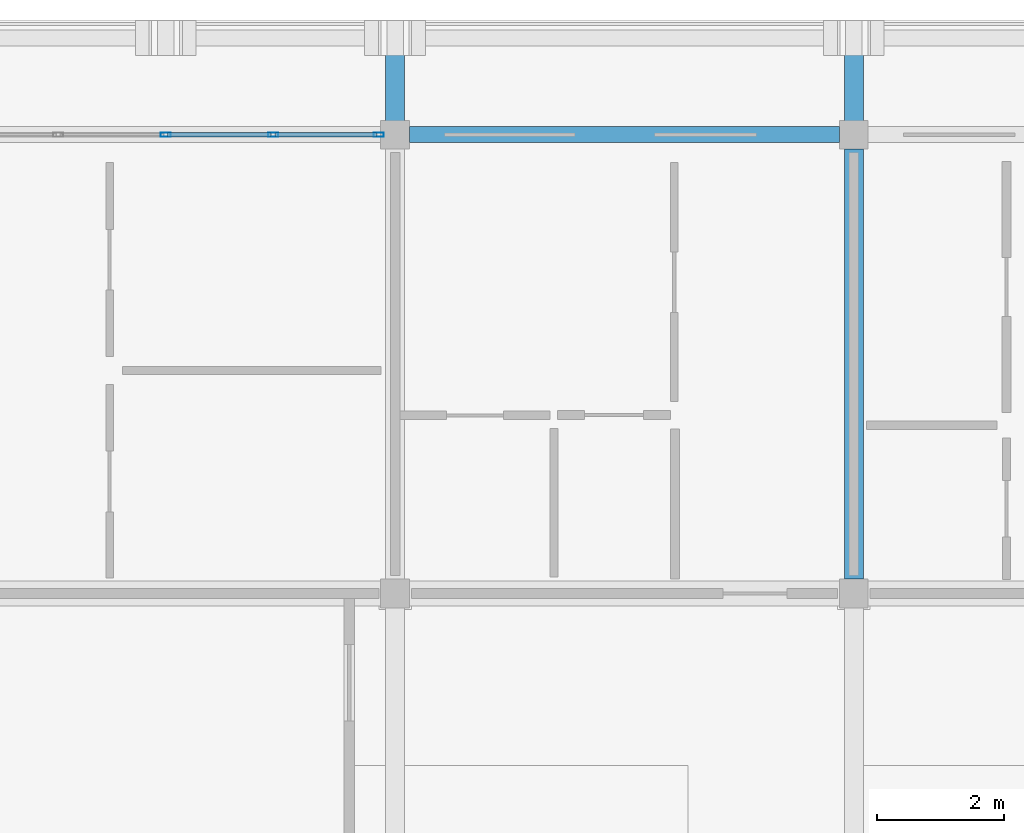
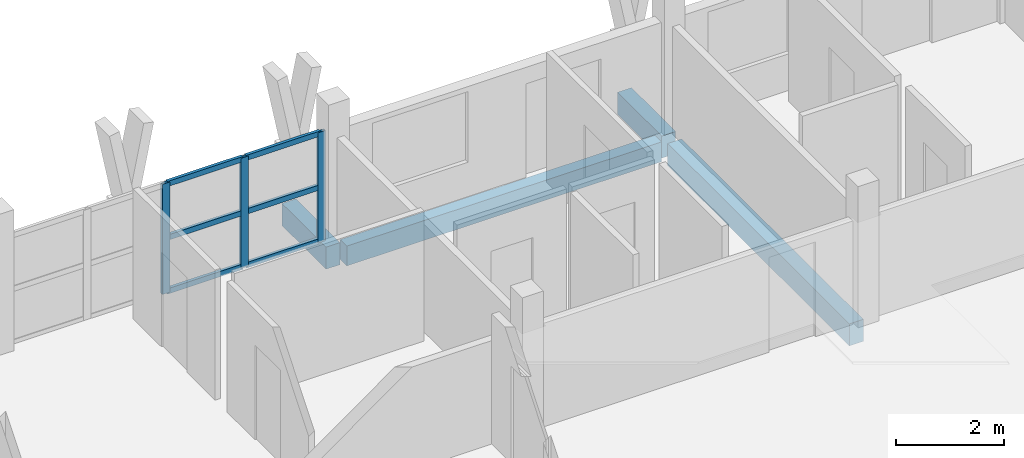
# One storey, part 13 of 32: 9 members, 4 beams, 1 element without a shape of its own.
"""IFC4 building model written with IfcOpenShell, lengths in metres."""

from ifc_helpers import new_model, si_unit, direction, frame, origin, origin_2d, place, context, subcontext, project, spatial, rectangle, hollow_rectangle, extrude, material, material_profile, profile_set, type_object, element, aggregate, save


model = new_model("IFC4")

# Units and contexts
model_context = context("Model", 3, precision=1e-05, world=origin(), true_north=direction((0.0, 1.0)))
body_context = subcontext(model_context, "Body", "Model", "MODEL_VIEW")
ifc_project = project(units=[si_unit("LENGTHUNIT", "METRE"), si_unit("AREAUNIT", "SQUARE_METRE"), si_unit("VOLUMEUNIT", "CUBIC_METRE"), si_unit("PLANEANGLEUNIT", "RADIAN"), si_unit("MASSUNIT", "GRAM", prefix="KILO")], contexts=[model_context])

# Site, building, storey
site_placement = place(None, origin())
site = spatial("IfcSite", under=ifc_project, at=site_placement, CompositionType="ELEMENT")
building_placement = place(site_placement, origin())
building = spatial("IfcBuilding", under=site, at=building_placement, Name="Suanplinth Sawtooth Commons", CompositionType="ELEMENT")
storey_placement = place(building_placement, frame((0.0, 0.0, 41.199951171875)))
storey = spatial("IfcBuildingStorey", under=building, at=storey_placement, Name="L12", CompositionType="ELEMENT", Elevation=41.199951171875)

# Beams
ifc_material_1 = material(Name="Precast concrete C40/50", Category="concrete")
ifc_material_profile_1 = material_profile(ifc_material_1, rectangle(XDim=0.300048828125, YDim=0.5, at=origin_2d()), Name="PC-BM 300x500")
ifc_profile_set_1 = profile_set([ifc_material_profile_1], Name="Precast concrete C40/50")
beam_type_1 = type_object("IfcBeamType", Name="B-07", PredefinedType="BEAM", material=ifc_profile_set_1)
beam_1_placement = place(storey_placement, frame((180.0, 115.425048828125, -0.4599609375), z_axis=(0.0, 1.0, 0.0), x_axis=(-1.0, 0.0, 0.0)))
element("IfcBeam", 1, at=beam_1_placement, inside=storey, type_object=beam_type_1, Name="BMY-L12-B-25-16", PredefinedType="BEAM", context=body_context, shape_type="SweptSolid", body=[
    extrude(rectangle(XDim=0.300048828125, YDim=0.5, at=origin_2d()), origin(), (0.0, 0.0, 1.0), 6.75),
])
for number, where, z_axis, x_axis, name in (
    (2, (172.800048828125, 122.39990234375, -0.429931640625), (0.0, 1.0, 0.0), (-1.0, 0.0, 0.0), "Balcony Outrigger L12-B-N-24"),
    (3, (180.0, 122.39990234375, -0.429931640625), (0.0, 1.0, 0.0), (-1.0, 0.0, 0.0), "Balcony Outrigger L12-B-N-25"),
):
    element("IfcBeam", number, at=place(storey_placement, frame(where, z_axis=z_axis, x_axis=x_axis)), inside=storey, type_object=beam_type_1, Name=name, PredefinedType="BEAM", context=body_context, shape_type="SweptSolid", body=[
        extrude(rectangle(XDim=0.300048828125, YDim=0.5, at=origin_2d()), origin(), (0.0, 0.0, 1.0), 1.64013671875),
    ])
ifc_material_profile_2 = material_profile(ifc_material_1, rectangle(XDim=0.25, YDim=0.449951171875, at=origin_2d()), Name="PC-SP 250x450")
ifc_profile_set_2 = profile_set([ifc_material_profile_2], Name="Precast concrete C40/50")
beam_type_2 = type_object("IfcBeamType", Name="B-09", PredefinedType="SPANDREL", material=ifc_profile_set_2)
beam_2_placement = place(storey_placement, frame((173.02490234375, 122.39990234375, -0.43505859375), z_axis=(1.0, 0.0, 0.0), x_axis=(0.0, 1.0, 0.0)))
element("IfcBeam", 4, at=beam_2_placement, inside=storey, type_object=beam_type_2, Name="BMX-L12-B-24-17", PredefinedType="SPANDREL", context=body_context, shape_type="SweptSolid", body=[
    extrude(rectangle(XDim=0.25, YDim=0.449951171875, at=origin_2d()), origin(), (0.0, 0.0, 1.0), 6.75),
])

# Curtain wall, members
ifc_material_2 = material(Name="Anodized aluminium and low-E glazing", Category="aluminium")
curtain_wall_type = type_object("IfcCurtainWallType", Name="CW-06", PredefinedType="USERDEFINED", material=ifc_material_2)
curtain_wall_placement = place(storey_placement, origin())
curtain_wall = element("IfcCurtainWall", 5, at=curtain_wall_placement, inside=storey, type_object=curtain_wall_type, Name="Curtain Wall CW-L12-B-LOUNGE-23", ObjectType="CURTAIN WALL", PredefinedType="USERDEFINED")
ifc_material_3 = material(Name="Anodized aluminium 6063-T6", Category="aluminium")
ifc_material_profile_3 = material_profile(ifc_material_3, hollow_rectangle(XDim=0.06494140625, YDim=0.159912109375, WallThickness=0.00390625, at=origin_2d()), Name="ALU-MUL 65x160")
ifc_profile_set_3 = profile_set([ifc_material_profile_3], Name="Anodized aluminium 6063-T6")
member_type_1 = type_object("IfcMemberType", Name="M-13", PredefinedType="MULLION", material=ifc_profile_set_3)
member_1_placement = place(storey_placement, frame((169.199951171875, 122.39990234375, 0.0), z_axis=(0.0, 0.0, 1.0), x_axis=(0.0, 1.0, 0.0)))
member_1 = element("IfcMember", 6, at=member_1_placement, type_object=member_type_1, Name="CW-06 mullion 3", PredefinedType="MULLION", context=body_context, shape_type="SweptSolid", body=[
    extrude(hollow_rectangle(XDim=0.06494140625, YDim=0.159912109375, WallThickness=0.00390625, at=origin_2d()), origin(), (0.0, 0.0, 1.0), 2.5),
])
member_2_placement = place(storey_placement, frame((170.887451171875, 122.39990234375, 0.0), z_axis=(0.0, 0.0, 1.0), x_axis=(0.0, 1.0, 0.0)))
member_2 = element("IfcMember", 7, at=member_2_placement, type_object=member_type_1, Name="CW-06 mullion 4", PredefinedType="MULLION", context=body_context, shape_type="SweptSolid", body=[
    extrude(hollow_rectangle(XDim=0.06494140625, YDim=0.159912109375, WallThickness=0.00390625, at=origin_2d()), origin(), (0.0, 0.0, 1.0), 2.5),
])
member_3_placement = place(storey_placement, frame((172.54248046875, 122.39990234375, 0.0), z_axis=(0.0, 0.0, 1.0), x_axis=(0.0, 1.0, 0.0)))
member_3 = element("IfcMember", 8, at=member_3_placement, type_object=member_type_1, Name="CW-06 mullion 5", PredefinedType="MULLION", context=body_context, shape_type="SweptSolid", body=[
    extrude(hollow_rectangle(XDim=0.06494140625, YDim=0.159912109375, WallThickness=0.00390625, at=origin_2d()), origin(), (0.0, 0.0, 1.0), 2.5),
])
ifc_material_profile_4 = material_profile(ifc_material_3, hollow_rectangle(XDim=0.06494140625, YDim=0.1201171875, WallThickness=0.00390625, at=origin_2d()), Name="ALU-TRN 65x120")
ifc_profile_set_4 = profile_set([ifc_material_profile_4], Name="Anodized aluminium 6063-T6")
member_type_2 = type_object("IfcMemberType", Name="M-15", PredefinedType="USERDEFINED", material=ifc_profile_set_4)
member_4_placement = place(storey_placement, frame((169.232421875, 122.39990234375, 0.032470703125), z_axis=(1.0, 0.0, 0.0), x_axis=(0.0, 1.0, 0.0)))
member_4 = element("IfcMember", 9, at=member_4_placement, type_object=member_type_2, Name="CW-06 transom 3.1", ObjectType="TRANSOM", PredefinedType="USERDEFINED", context=body_context, shape_type="SweptSolid", body=[
    extrude(hollow_rectangle(XDim=0.06494140625, YDim=0.1201171875, WallThickness=0.00390625, at=origin_2d()), origin(), (0.0, 0.0, 1.0), 1.62255859375),
])
member_5_placement = place(storey_placement, frame((169.232421875, 122.39990234375, 1.25), z_axis=(1.0, 0.0, 0.0), x_axis=(0.0, 1.0, 0.0)))
member_5 = element("IfcMember", 10, at=member_5_placement, type_object=member_type_2, Name="CW-06 transom 3.2", ObjectType="TRANSOM", PredefinedType="USERDEFINED", context=body_context, shape_type="SweptSolid", body=[
    extrude(hollow_rectangle(XDim=0.06494140625, YDim=0.1201171875, WallThickness=0.00390625, at=origin_2d()), origin(), (0.0, 0.0, 1.0), 1.62255859375),
])
member_6_placement = place(storey_placement, frame((169.232421875, 122.39990234375, 2.467529296875), z_axis=(1.0, 0.0, 0.0), x_axis=(0.0, 1.0, 0.0)))
member_6 = element("IfcMember", 11, at=member_6_placement, type_object=member_type_2, Name="CW-06 transom 3.3", ObjectType="TRANSOM", PredefinedType="USERDEFINED", context=body_context, shape_type="SweptSolid", body=[
    extrude(hollow_rectangle(XDim=0.06494140625, YDim=0.1201171875, WallThickness=0.00390625, at=origin_2d()), origin(), (0.0, 0.0, 1.0), 1.62255859375),
])
member_7_placement = place(storey_placement, frame((170.919921875, 122.39990234375, 0.032470703125), z_axis=(1.0, 0.0, 0.0), x_axis=(0.0, 1.0, 0.0)))
member_7 = element("IfcMember", 12, at=member_7_placement, type_object=member_type_2, Name="CW-06 transom 4.1", ObjectType="TRANSOM", PredefinedType="USERDEFINED", context=body_context, shape_type="SweptSolid", body=[
    extrude(hollow_rectangle(XDim=0.06494140625, YDim=0.1201171875, WallThickness=0.00390625, at=origin_2d()), origin(), (0.0, 0.0, 1.0), 1.590087890625),
])
member_8_placement = place(storey_placement, frame((170.919921875, 122.39990234375, 1.25), z_axis=(1.0, 0.0, 0.0), x_axis=(0.0, 1.0, 0.0)))
member_8 = element("IfcMember", 13, at=member_8_placement, type_object=member_type_2, Name="CW-06 transom 4.2", ObjectType="TRANSOM", PredefinedType="USERDEFINED", context=body_context, shape_type="SweptSolid", body=[
    extrude(hollow_rectangle(XDim=0.06494140625, YDim=0.1201171875, WallThickness=0.00390625, at=origin_2d()), origin(), (0.0, 0.0, 1.0), 1.590087890625),
])
member_9_placement = place(storey_placement, frame((170.919921875, 122.39990234375, 2.467529296875), z_axis=(1.0, 0.0, 0.0), x_axis=(0.0, 1.0, 0.0)))
member_9 = element("IfcMember", 14, at=member_9_placement, type_object=member_type_2, Name="CW-06 transom 4.3", ObjectType="TRANSOM", PredefinedType="USERDEFINED", context=body_context, shape_type="SweptSolid", body=[
    extrude(hollow_rectangle(XDim=0.06494140625, YDim=0.1201171875, WallThickness=0.00390625, at=origin_2d()), origin(), (0.0, 0.0, 1.0), 1.590087890625),
])
aggregate(curtain_wall, [member_1, member_2, member_3, member_4, member_5, member_6, member_7, member_8, member_9])

save(model, "model.ifc")
